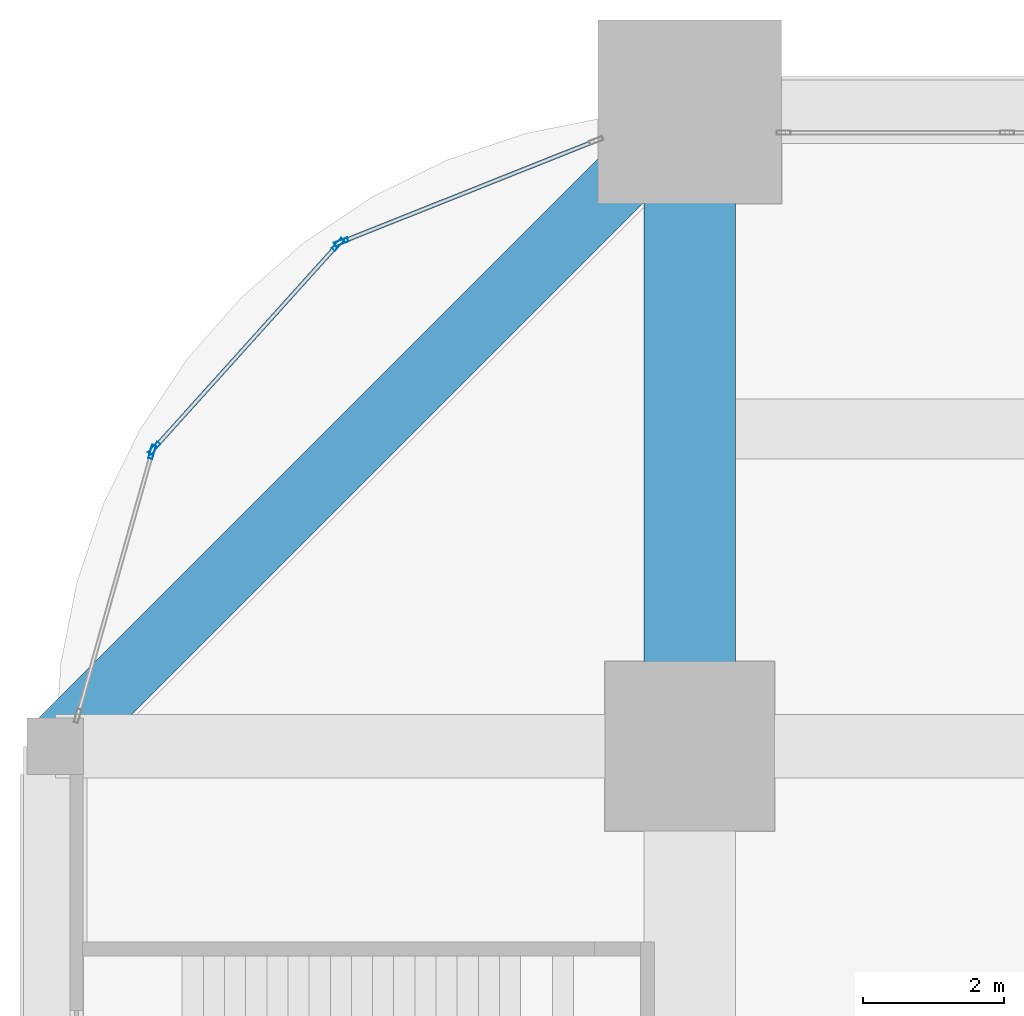
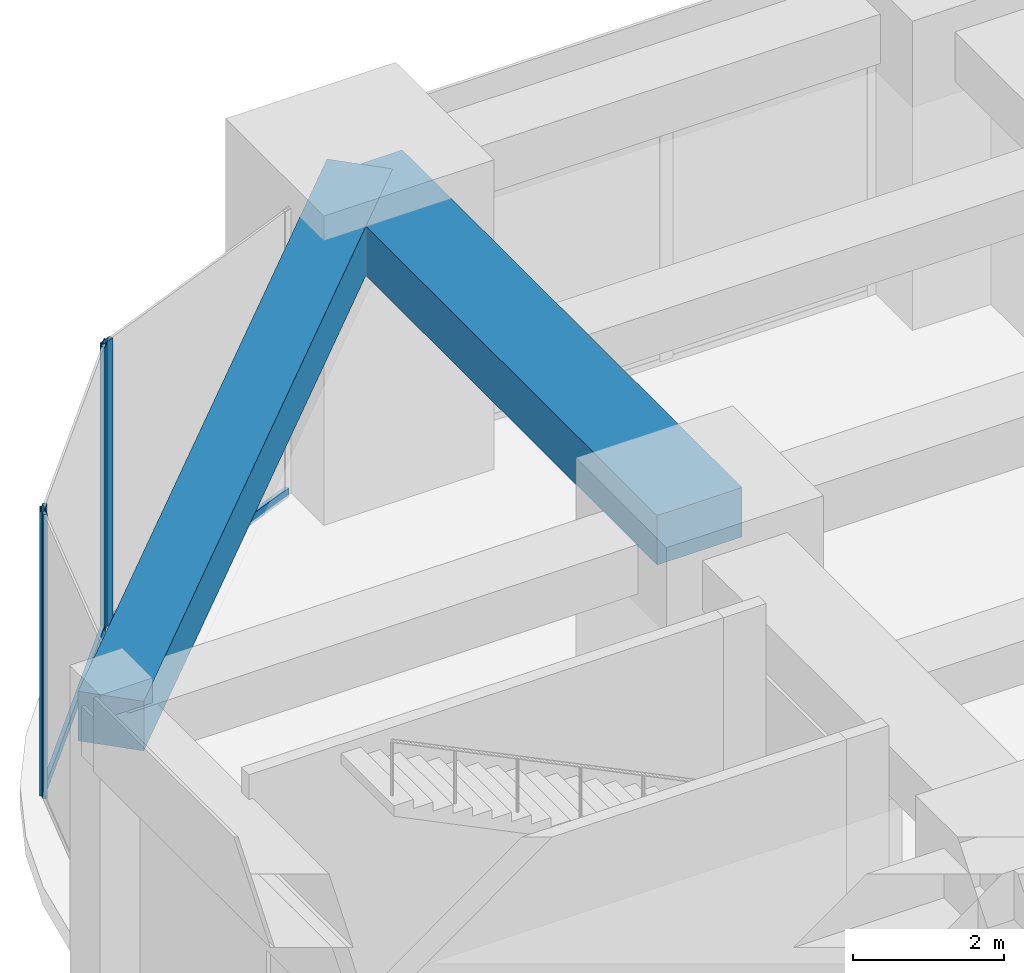
# One storey, part 22 of 46: 6 members, 2 beams, 3 elements without a shape of their own.
"""IFC4 building model written with IfcOpenShell, lengths in metres."""

from ifc_helpers import new_model, si_unit, direction, frame, origin, origin_2d, place, context, subcontext, project, spatial, rectangle, hollow_rectangle, extrude, material, material_profile, profile_set, type_object, element, aggregate, save


model = new_model("IFC4")

# Units and contexts
model_context = context("Model", 3, precision=1e-05, world=origin(), true_north=direction((0.0, 1.0)))
body_context = subcontext(model_context, "Body", "Model", "MODEL_VIEW")
ifc_project = project(units=[si_unit("LENGTHUNIT", "METRE"), si_unit("AREAUNIT", "SQUARE_METRE"), si_unit("VOLUMEUNIT", "CUBIC_METRE"), si_unit("PLANEANGLEUNIT", "RADIAN"), si_unit("MASSUNIT", "GRAM", prefix="KILO")], contexts=[model_context])

# Site, building, storey
site_placement = place(None, origin())
site = spatial("IfcSite", under=ifc_project, at=site_placement, CompositionType="ELEMENT")
building_placement = place(site_placement, origin())
building = spatial("IfcBuilding", under=site, at=building_placement, Name="Zorevar Civic Tower", CompositionType="ELEMENT")
storey_placement = place(building_placement, frame((0.0, 0.0, 10.800048828125)))
storey = spatial("IfcBuildingStorey", under=building, at=storey_placement, Name="L02", CompositionType="ELEMENT", Elevation=10.800048828125)

# Beam
ifc_material_1 = material(Name="Concrete C50/60", Category="concrete")
ifc_material_profile_1 = material_profile(ifc_material_1, rectangle(XDim=1.300048828125, YDim=0.800048828125, at=origin_2d()), Name="RC 1300x800")
ifc_profile_set_1 = profile_set([ifc_material_profile_1], Name="Concrete C50/60")
beam_type_1 = type_object("IfcBeamType", Name="Beam RC 1300x800", PredefinedType="BEAM", material=ifc_profile_set_1)
beam_1_placement = place(storey_placement, frame((0.0, 45.0, 4.199951171875), z_axis=(0.0, 1.0, 0.0), x_axis=(-1.0, 0.0, 0.0)))
element("IfcBeam", 1, at=beam_1_placement, inside=storey, type_object=beam_type_1, Name="Girder L03", PredefinedType="BEAM", context=body_context, shape_type="SweptSolid", body=[
    extrude(rectangle(XDim=1.300048828125, YDim=0.800048828125, at=origin_2d()), origin(), (0.0, 0.0, 1.0), 9.0),
])

# Curtain wall, member
ifc_material_2 = material(Name="Dark grey solar-control glass in black aluminium frame", Category="aluminium")
curtain_wall_type = type_object("IfcCurtainWallType", Name="Curtain wall CW1 podium", PredefinedType="NOTDEFINED", material=ifc_material_2)
curtain_wall_1_placement = place(storey_placement, origin())
curtain_wall_1 = element("IfcCurtainWall", 2, at=curtain_wall_1_placement, inside=storey, type_object=curtain_wall_type, Name="CW1 L02", PredefinedType="NOTDEFINED")
ifc_material_3 = material(Name="Aluminium, black anodised", Category="aluminium")
ifc_material_profile_2 = material_profile(ifc_material_3, hollow_rectangle(XDim=0.06005859375, YDim=0.199951171875, WallThickness=0.00390625, at=origin_2d()), Name="AL 200x60x4")
ifc_profile_set_2 = profile_set([ifc_material_profile_2], Name="Aluminium, black anodised")
member_type_1 = type_object("IfcMemberType", Name="CW1 mullion AL 200x60x4", PredefinedType="MULLION", material=ifc_profile_set_2)
member_1_placement = place(storey_placement, frame((-4.943603515625, 52.150634765625, 0.0), z_axis=(0.0, 0.0, 1.0), x_axis=(0.370110964218, -0.928987553289, 0.0)))
member_1 = element("IfcMember", 3, at=member_1_placement, type_object=member_type_1, Name="CW1 mullion 2", PredefinedType="MULLION", context=body_context, shape_type="SweptSolid", body=[
    extrude(hollow_rectangle(XDim=0.06005859375, YDim=0.199951171875, WallThickness=0.00390625, at=origin_2d()), origin(), (0.0, 0.0, 1.0), 4.599853515625),
])

# Curtain wall, members
curtain_wall_2_placement = place(storey_placement, origin())
curtain_wall_2 = element("IfcCurtainWall", 4, at=curtain_wall_2_placement, inside=storey, type_object=curtain_wall_type, Name="CW1 L02", PredefinedType="NOTDEFINED")
member_2_placement = place(storey_placement, frame((-4.991455078125, 52.1171875, 0.0), z_axis=(0.0, 0.0, 1.0), x_axis=(0.742899688263, -0.669402758568, 0.0)))
member_2 = element("IfcMember", 5, at=member_2_placement, type_object=member_type_1, Name="CW1 mullion 1", PredefinedType="MULLION", context=body_context, shape_type="SweptSolid", body=[
    extrude(hollow_rectangle(XDim=0.06005859375, YDim=0.199951171875, WallThickness=0.00390625, at=origin_2d()), origin(), (0.0, 0.0, 1.0), 4.599853515625),
])
member_3_placement = place(storey_placement, frame((-7.596923828125, 49.225830078125, 0.0), z_axis=(0.0, 0.0, 1.0), x_axis=(0.742899688263, -0.669402758568, 0.0)))
member_3 = element("IfcMember", 6, at=member_3_placement, type_object=member_type_1, Name="CW1 mullion 2", PredefinedType="MULLION", context=body_context, shape_type="SweptSolid", body=[
    extrude(hollow_rectangle(XDim=0.06005859375, YDim=0.199951171875, WallThickness=0.00390625, at=origin_2d()), origin(), (0.0, 0.0, 1.0), 4.599853515625),
])

# Curtain wall, member
curtain_wall_3_placement = place(storey_placement, origin())
curtain_wall_3 = element("IfcCurtainWall", 7, at=curtain_wall_3_placement, inside=storey, type_object=curtain_wall_type, Name="CW1 L02", PredefinedType="NOTDEFINED")
member_4_placement = place(storey_placement, frame((-7.625244140625, 49.174560546875, 0.0), z_axis=(0.0, 0.0, 1.0), x_axis=(0.962390725943, -0.271669082929, 0.0)))
member_4 = element("IfcMember", 8, at=member_4_placement, type_object=member_type_1, Name="CW1 mullion 1", PredefinedType="MULLION", context=body_context, shape_type="SweptSolid", body=[
    extrude(hollow_rectangle(XDim=0.06005859375, YDim=0.199951171875, WallThickness=0.00390625, at=origin_2d()), origin(), (0.0, 0.0, 1.0), 4.599853515625),
])
aggregate(curtain_wall_3, [member_4])

# Member
ifc_material_4 = material(Name="Aluminium, black anodised", Category="aluminium")
ifc_material_profile_3 = material_profile(ifc_material_4, hollow_rectangle(XDim=0.06005859375, YDim=0.14990234375, WallThickness=0.00390625, at=origin_2d()), Name="AL 150x60x4")
ifc_profile_set_3 = profile_set([ifc_material_profile_3], Name="Aluminium, black anodised")
member_type_2 = type_object("IfcMemberType", Name="CW1 transom AL 150x60x4", PredefinedType="USERDEFINED", material=ifc_profile_set_3)
member_5_placement = place(storey_placement, frame((-1.355712890625, 53.580078125, 0.030029296875), z_axis=(-0.928998620575, -0.370083183851, 0.0), x_axis=(0.370083183851, -0.928998620575, 0.0)))
member_5 = element("IfcMember", 9, at=member_5_placement, type_object=member_type_2, Name="CW1 sill transom", ObjectType="TRANSOM", PredefinedType="USERDEFINED", context=body_context, shape_type="SweptSolid", body=[
    extrude(hollow_rectangle(XDim=0.06005859375, YDim=0.14990234375, WallThickness=0.00390625, at=origin_2d()), origin(), (0.0, 0.0, 1.0), 3.83203125),
])

aggregate(curtain_wall_1, [member_1, member_5])

member_6_placement = place(storey_placement, frame((-5.01171875, 52.094970703125, 0.030029296875), z_axis=(-0.669390521788, -0.742910714245, 0.0), x_axis=(0.742910714245, -0.669390521788, 0.0)))
member_6 = element("IfcMember", 10, at=member_6_placement, type_object=member_type_2, Name="CW1 sill transom", ObjectType="TRANSOM", PredefinedType="USERDEFINED", context=body_context, shape_type="SweptSolid", body=[
    extrude(hollow_rectangle(XDim=0.06005859375, YDim=0.14990234375, WallThickness=0.00390625, at=origin_2d()), origin(), (0.0, 0.0, 1.0), 3.83203125),
])

aggregate(curtain_wall_2, [member_2, member_3, member_6])

# Beam
ifc_material_5 = material(Name="Concrete C50/60", Category="concrete")
ifc_material_profile_4 = material_profile(ifc_material_5, rectangle(XDim=0.89990234375, YDim=0.800048828125, at=origin_2d()), Name="RC 900x800")
ifc_profile_set_4 = profile_set([ifc_material_profile_4], Name="Concrete C50/60")
beam_type_2 = type_object("IfcBeamType", Name="Edge beam RC 900x800", PredefinedType="SPANDREL", material=ifc_profile_set_4)
beam_2_placement = place(storey_placement, frame((0.0, 54.0, 4.199951171875), z_axis=(-0.707106781187, -0.707106781187, 0.0), x_axis=(0.707106781187, -0.707106781187, 0.0)))
element("IfcBeam", 11, at=beam_2_placement, inside=storey, type_object=beam_type_2, Name="Corner edge beam L03", PredefinedType="SPANDREL", context=body_context, shape_type="SweptSolid", body=[
    extrude(rectangle(XDim=0.89990234375, YDim=0.800048828125, at=origin_2d()), origin(), (0.0, 0.0, 1.0), 12.72802734375),
])

save(model, "model.ifc")
